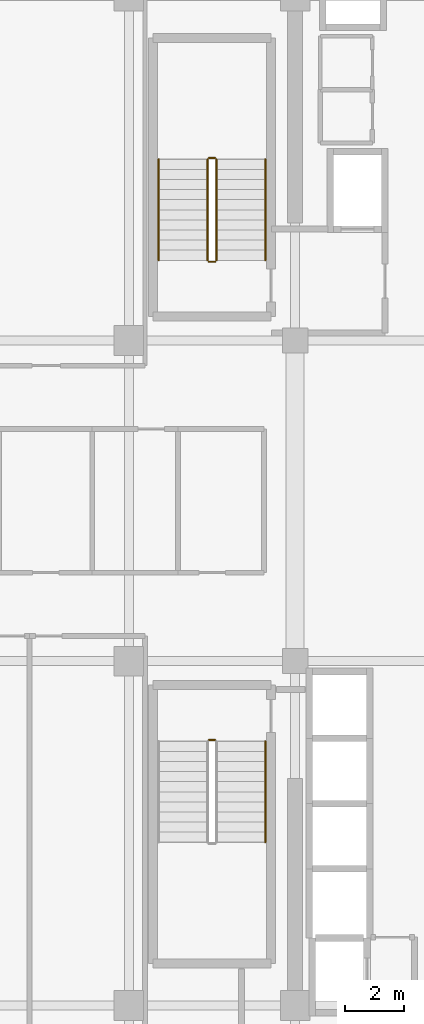
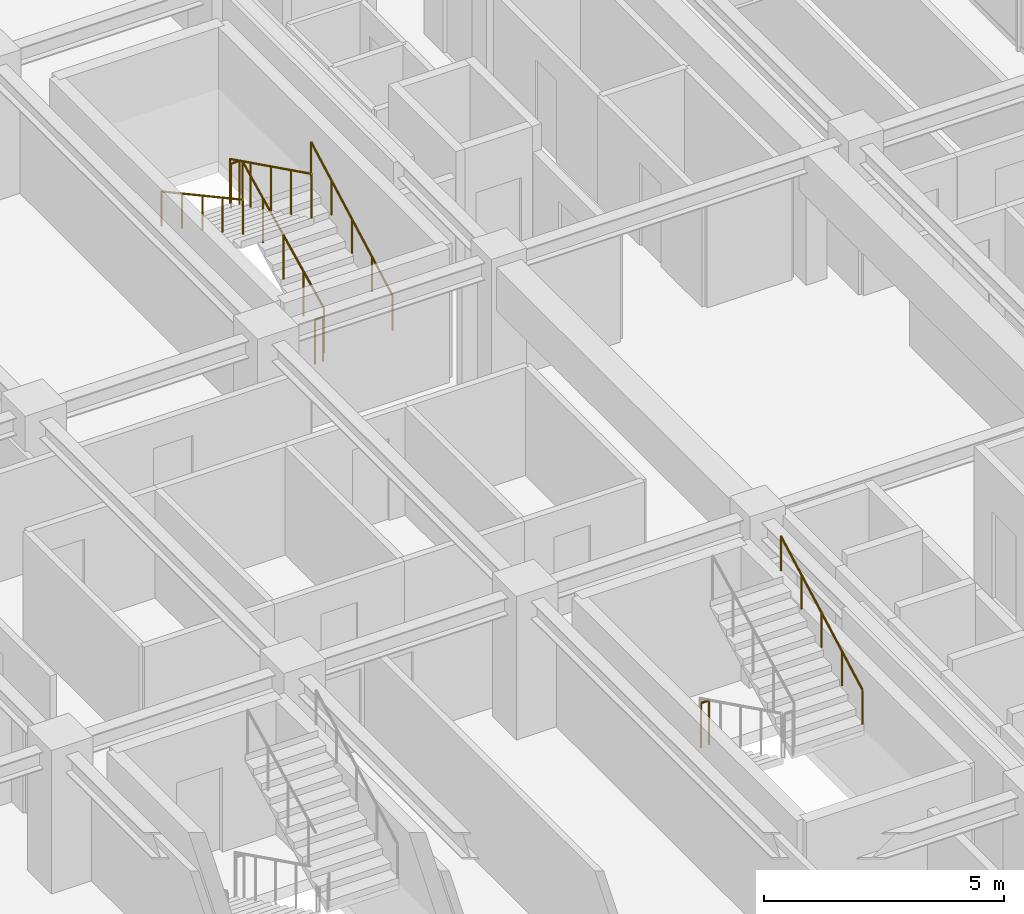
# One storey, part 31 of 32: 8 railings.
"""IFC4 building model written with IfcOpenShell, lengths in metres."""

import ifcopenshell
import ifcopenshell.guid

model = None  # the IFC model being written
_history = None  # IfcOwnerHistory: only IFC2X3 demands one
_inside = {}  # id of a spatial element -> (the spatial element, [elements in it])
_under = {}  # id of a project, library or spatial element -> (it, [spatial elements below it])
_declared = {}  # id of a project -> (the project, [libraries it declares])
_typed = {}  # id of a type object -> (the type object, [elements of that type])
_made_of = {}  # id of a material, layer set ... -> (it, [elements and type objects made of it])


def new_model(schema):
    """Start an empty IFC model of exactly this schema.

    Asked for "IFC4X3", IfcOpenShell would pick the latest addendum, in which some entities
    have other attributes; the version numbers below select the first issue.
    IFC2X3 requires an IfcOwnerHistory on every rooted entity: one is made here for all.
    """
    global model, _history
    if schema == "IFC4X3":
        model = ifcopenshell.file(schema_version=(4, 3, 0, 0))
    else:
        model = ifcopenshell.file(schema=schema)
    _inside.clear()
    _under.clear()
    _declared.clear()
    _typed.clear()
    _made_of.clear()
    _history = None
    if model.schema == "IFC2X3":
        org = make("IfcOrganization", Name="unknown")
        user = make(
            "IfcPersonAndOrganization",
            ThePerson=make("IfcPerson", FamilyName="unknown"),
            TheOrganization=org,
        )
        app = make(
            "IfcApplication",
            ApplicationDeveloper=org,
            Version="unknown",
            ApplicationFullName="unknown",
            ApplicationIdentifier="unknown",
        )
        _history = make(
            "IfcOwnerHistory",
            OwningUser=user,
            OwningApplication=app,
            ChangeAction="ADDED",
            CreationDate=0,
        )
    return model


def make(cls, **values):
    """One entity of the class cls with the attributes given. An attribute that is None is left unset."""
    return model.create_entity(
        cls, **{name: value for name, value in values.items() if value is not None}
    )


def rooted(cls, **values):
    """An entity with a GlobalId (a new one), such as an element, a storey or a relation."""
    return make(cls, GlobalId=ifcopenshell.guid.new(), OwnerHistory=_history, **values)


def si_unit(unit_type, name, prefix=None):
    """IfcSIUnit, for example si_unit("LENGTHUNIT", "METRE", prefix="MILLI")."""
    return make("IfcSIUnit", UnitType=unit_type, Prefix=prefix, Name=name)


def assignment(units):
    """IfcUnitAssignment: the units of a project."""
    return None if units is None else make("IfcUnitAssignment", Units=units)


def point(xyz):
    """IfcCartesianPoint."""
    return None if xyz is None else make("IfcCartesianPoint", Coordinates=xyz)


def direction(xyz):
    """IfcDirection."""
    return None if xyz is None else make("IfcDirection", DirectionRatios=xyz)


def frame(location, z_axis=None, x_axis=None):
    """IfcAxis2Placement3D, a coordinate frame: its origin and axes. An axis left out is left unset."""
    return make(
        "IfcAxis2Placement3D",
        Location=point(location),
        Axis=direction(z_axis),
        RefDirection=direction(x_axis),
    )


def frame_2d(location, x_axis=None):
    """IfcAxis2Placement2D, a coordinate frame in the plane: its origin and x axis."""
    return make(
        "IfcAxis2Placement2D", Location=point(location), RefDirection=direction(x_axis)
    )


def origin():
    """The frame at (0, 0, 0) with its axes left unset."""
    return frame((0.0, 0.0, 0.0))


def origin_2d():
    """The frame at (0, 0) in the plane with its x axis left unset."""
    return frame_2d((0.0, 0.0))


def place(relative_to, where):
    """IfcLocalPlacement: puts the frame where relative to a parent placement (None: the world)."""
    return make(
        "IfcLocalPlacement", PlacementRelTo=relative_to, RelativePlacement=where
    )


def context(
    kind, dimensions, precision=None, world=None, true_north=None, identifier=None
):
    """IfcGeometricRepresentationContext, for example the 3D "Model" context."""
    return make(
        "IfcGeometricRepresentationContext",
        ContextIdentifier=identifier,
        ContextType=kind,
        CoordinateSpaceDimension=dimensions,
        Precision=precision,
        WorldCoordinateSystem=world,
        TrueNorth=true_north,
    )


def subcontext(parent, identifier, kind, view, scale=None):
    """IfcGeometricRepresentationSubContext, for example "Body" below "Model"."""
    return make(
        "IfcGeometricRepresentationSubContext",
        ContextIdentifier=identifier,
        ContextType=kind,
        ParentContext=parent,
        TargetScale=scale,
        TargetView=view,
    )


def project(units=None, contexts=None):
    """IfcProject with its units and contexts."""
    return rooted(
        "IfcProject",
        Name="project",
        RepresentationContexts=contexts,
        UnitsInContext=assignment(units),
    )


def spatial(cls, under=None, at=None, **own):
    """A site, building, storey or space (cls), placed at a placement, below another one or the project."""
    s = rooted(cls, ObjectPlacement=at, **own)
    if under is not None:
        _under.setdefault(under.id(), (under, []))[1].append(s)
    return s


def profile(cls, at=None, kind="AREA", **sizes):
    """A parametric profile (cls). Its sizes go by their IFC names, for example OverallWidth=200.0."""
    return make(cls, ProfileType=kind, Position=at, **sizes)


def circle(**sizes):
    """IfcCircleProfileDef."""
    return profile("IfcCircleProfileDef", **sizes)


def extrude(swept, where, along, depth):
    """IfcExtrudedAreaSolid: the profile swept, set in the frame where, extruded along a direction by depth."""
    return make(
        "IfcExtrudedAreaSolid",
        SweptArea=swept,
        Position=where,
        ExtrudedDirection=direction(along),
        Depth=depth,
    )


def shape(context_of_items, identifier, shape_type, items):
    """IfcShapeRepresentation: the items that make up one representation, for example the "Body"."""
    return make(
        "IfcShapeRepresentation",
        ContextOfItems=context_of_items,
        RepresentationIdentifier=identifier,
        RepresentationType=shape_type,
        Items=items,
    )


def material(Name=None, Category=None):
    """IfcMaterial."""
    return make("IfcMaterial", Name=Name, Category=Category)


def made_of(thing, what):
    """Note that an element or type object is made of a material, layer set ...; save() writes the relation."""
    if what is not None:
        _made_of.setdefault(what.id(), (what, []))[1].append(thing)
    return thing


def type_object(cls, material=None, **own):
    """A type object (cls), such as IfcWallType, which elements share."""
    return made_of(rooted(cls, **own), material)


def element(
    cls,
    number,
    at=None,
    inside=None,
    cuts=None,
    type_object=None,
    material=None,
    context=None,
    identifier="Body",
    shape_type=None,
    held_by="IfcProductDefinitionShape",
    body=None,
    shapes=None,
    **own,
):
    """One element of the class cls, such as IfcWall. Its Tag is "e" and its number.

    at: its placement. inside: the storey or other place that contains it. cuts: it is an
    opening in that element (IfcRelVoidsElement). A single representation is given by context,
    identifier, shape_type and body (its items); several are given by shapes. held_by: the class
    of the entity that holds the representations. save() writes the other relations.
    """
    e = rooted(cls, Tag="e%d" % number, ObjectPlacement=at, **own)
    if body is not None:
        shapes = [shape(context, identifier, shape_type, body)]
    if shapes is not None:
        e.Representation = make(held_by, Representations=shapes)
    if inside is not None:
        _inside.setdefault(inside.id(), (inside, []))[1].append(e)
    if cuts is not None:
        rooted(
            "IfcRelVoidsElement", RelatingBuildingElement=cuts, RelatedOpeningElement=e
        )
    if type_object is not None:
        _typed.setdefault(type_object.id(), (type_object, []))[1].append(e)
    return made_of(e, material)


def aggregate(whole, parts):
    """IfcRelAggregates: a whole, such as a stair, and the parts it consists of."""
    return rooted("IfcRelAggregates", RelatingObject=whole, RelatedObjects=parts)


def save(model, path):
    """Write the relations noted so far, then the file.

    IfcRelAggregates (storeys below a building ...), IfcRelContainedInSpatialStructure (elements
    in a storey), IfcRelDefinesByType, IfcRelAssociatesMaterial and IfcRelDeclares: one each for
    every whole, place, type object, material and project.
    """
    for whole, parts in _under.values():
        aggregate(whole, parts)
    for where, things in _inside.values():
        rooted(
            "IfcRelContainedInSpatialStructure",
            RelatedElements=things,
            RelatingStructure=where,
        )
    for kind, things in _typed.values():
        rooted("IfcRelDefinesByType", RelatedObjects=things, RelatingType=kind)
    for what, things in _made_of.values():
        rooted("IfcRelAssociatesMaterial", RelatedObjects=things, RelatingMaterial=what)
    for by, libraries in _declared.values():
        rooted("IfcRelDeclares", RelatingContext=by, RelatedDefinitions=libraries)
    model.write(path)


model = new_model("IFC4")

# Units and contexts
model_context = context("Model", 3, precision=1e-05, world=origin(), true_north=direction((0.0, 1.0)))
body_context = subcontext(model_context, "Body", "Model", "MODEL_VIEW")
ifc_project = project(units=[si_unit("LENGTHUNIT", "METRE"), si_unit("AREAUNIT", "SQUARE_METRE"), si_unit("VOLUMEUNIT", "CUBIC_METRE"), si_unit("PLANEANGLEUNIT", "RADIAN"), si_unit("MASSUNIT", "GRAM", prefix="KILO")], contexts=[model_context])

# Site, building, storey
site_placement = place(None, origin())
site = spatial("IfcSite", under=ifc_project, at=site_placement, CompositionType="ELEMENT")
building_placement = place(site_placement, origin())
building = spatial("IfcBuilding", under=site, at=building_placement, Name="Nahalor Promenade Grand Hotel", CompositionType="ELEMENT")
storey_placement = place(building_placement, frame((0.0, 0.0, 230.800048828125)))
storey = spatial("IfcBuildingStorey", under=building, at=storey_placement, Name="L59", CompositionType="ELEMENT", Elevation=230.800048828125)

# Railings
ifc_material = material(Name="Steel S355JR", Category="steel")
railing_type_1 = type_object("IfcRailingType", Name="Steel Stair Guardrail 1150 mm", PredefinedType="GUARDRAIL", material=ifc_material)
railing_1_placement = place(storey_placement, frame((5.75, 8.10009765625, 0.168212890625)))
element("IfcRailing", 1, at=railing_1_placement, inside=storey, type_object=railing_type_1, Name="L59 ST1 stair guard 1", PredefinedType="GUARDRAIL", context=body_context, shape_type="SweptSolid", body=[
    extrude(circle(Radius=0.024048, at=origin_2d()), frame((0.0, 0.0, 1.1259765625), z_axis=(0.0, 0.896349809652, 0.44334751464), x_axis=(-1.0, 0.0, 0.0)), (0.0, 0.0, 1.0), 3.79296875),
    extrude(circle(Radius=0.020996, at=origin_2d()), origin(), (0.0, 0.0, 1.0), 1.099853515625),
    extrude(circle(Radius=0.020996, at=origin_2d()), frame((0.0, 0.85009765625, 0.42041015625)), (0.0, 0.0, 1.0), 1.099853515625),
    extrude(circle(Radius=0.020996, at=origin_2d()), frame((0.0, 1.699951171875, 0.8408203125)), (0.0, 0.0, 1.0), 1.099853515625),
    extrude(circle(Radius=0.020996, at=origin_2d()), frame((0.0, 2.5498046875, 1.26123046875)), (0.0, 0.0, 1.0), 1.099853515625),
    extrude(circle(Radius=0.020996, at=origin_2d()), frame((0.0, 3.39990234375, 1.681640625)), (0.0, 0.0, 1.0), 1.099853515625),
])
railing_2_placement = place(storey_placement, frame((5.699951171875, 11.550048828125, 1.849853515625)))
element("IfcRailing", 2, at=railing_2_placement, inside=storey, type_object=railing_type_1, Name="L59 ST1 stair guard 2", PredefinedType="GUARDRAIL", context=body_context, shape_type="SweptSolid", body=[
    extrude(circle(Radius=0.024048, at=origin_2d()), frame((0.0, 0.0, 1.1259765625), z_axis=(-1.0, 0.0, 0.0), x_axis=(0.0, -1.0, 0.0)), (0.0, 0.0, 1.0), 0.199951171875),
    extrude(circle(Radius=0.020996, at=origin_2d()), origin(), (0.0, 0.0, 1.0), 1.099853515625),
    extrude(circle(Radius=0.020996, at=origin_2d()), frame((-0.199951171875, 0.0, 0.0)), (0.0, 0.0, 1.0), 1.099853515625),
])
railing_3_placement = place(storey_placement, frame((5.449951171875, 11.5, 2.01806640625)))
element("IfcRailing", 3, at=railing_3_placement, inside=storey, type_object=railing_type_1, Name="L59 ST1 stair guard 3", PredefinedType="GUARDRAIL", context=body_context, shape_type="SweptSolid", body=[
    extrude(circle(Radius=0.024048, at=origin_2d()), frame((0.0, 0.0, 1.1259765625), z_axis=(0.0, -0.896324230515, 0.443399226197), x_axis=(1.0, 0.0, 0.0)), (0.0, 0.0, 1.0), 3.793212890625),
    extrude(circle(Radius=0.020996, at=origin_2d()), origin(), (0.0, 0.0, 1.0), 1.099853515625),
    extrude(circle(Radius=0.020996, at=origin_2d()), frame((0.0, -0.85009765625, 0.42041015625)), (0.0, 0.0, 1.0), 1.099853515625),
    extrude(circle(Radius=0.020996, at=origin_2d()), frame((0.0, -1.699951171875, 0.8408203125)), (0.0, 0.0, 1.0), 1.099853515625),
    extrude(circle(Radius=0.020996, at=origin_2d()), frame((0.0, -2.5498046875, 1.261474609375)), (0.0, 0.0, 1.0), 1.099853515625),
    extrude(circle(Radius=0.020996, at=origin_2d()), frame((0.0, -3.39990234375, 1.681884765625)), (0.0, 0.0, 1.0), 1.099853515625),
])
railing_4_placement = place(storey_placement, frame((5.699951171875, 8.050048828125, 0.0)))
element("IfcRailing", 4, at=railing_4_placement, inside=storey, type_object=railing_type_1, Name="L59 ST1 stair guard 4", PredefinedType="GUARDRAIL", context=body_context, shape_type="SweptSolid", body=[
    extrude(circle(Radius=0.024048, at=origin_2d()), frame((0.0, 0.0, 1.1259765625), z_axis=(-1.0, 0.0, 0.0), x_axis=(0.0, -1.0, 0.0)), (0.0, 0.0, 1.0), 0.199951171875),
    extrude(circle(Radius=0.020996, at=origin_2d()), origin(), (0.0, 0.0, 1.0), 1.099853515625),
    extrude(circle(Radius=0.020996, at=origin_2d()), frame((-0.199951171875, 0.0, 0.0)), (0.0, 0.0, 1.0), 1.099853515625),
])
railing_5_placement = place(storey_placement, frame((5.5, -8.050048828125, 0.0)))
element("IfcRailing", 5, at=railing_5_placement, inside=storey, type_object=railing_type_1, Name="L59 ST2 stair guard 4", PredefinedType="GUARDRAIL", context=body_context, shape_type="SweptSolid", body=[
    extrude(circle(Radius=0.024048, at=origin_2d()), frame((0.0, 0.0, 1.1259765625), z_axis=(1.0, 0.0, 0.0), x_axis=(0.0, 1.0, 0.0)), (0.0, 0.0, 1.0), 0.199951171875),
    extrude(circle(Radius=0.020996, at=origin_2d()), origin(), (0.0, 0.0, 1.0), 1.099853515625),
    extrude(circle(Radius=0.020996, at=origin_2d()), frame((0.199951171875, 0.0, 0.0)), (0.0, 0.0, 1.0), 1.099853515625),
])
railing_type_2 = type_object("IfcRailingType", Name="Steel Stair Handrail 900 mm", PredefinedType="HANDRAIL", material=ifc_material)
railing_6_placement = place(storey_placement, frame((7.39990234375, 8.10009765625, 0.168212890625)))
element("IfcRailing", 6, at=railing_6_placement, inside=storey, type_object=railing_type_2, Name="L59 ST1 stair handrail 1", PredefinedType="HANDRAIL", context=body_context, shape_type="SweptSolid", body=[
    extrude(circle(Radius=0.024048, at=origin_2d()), frame((0.0, 0.0, 0.8759765625), z_axis=(0.0, 0.878398892953, 0.47792822145), x_axis=(-1.0, 0.0, 0.0)), (0.0, 0.0, 1.0), 3.87060546875),
    extrude(circle(Radius=0.020996, at=origin_2d()), origin(), (0.0, 0.0, 1.0), 0.849853515625),
    extrude(circle(Radius=0.020996, at=origin_2d()), frame((0.0, 0.85009765625, 0.46240234375)), (0.0, 0.0, 1.0), 0.849853515625),
    extrude(circle(Radius=0.020996, at=origin_2d()), frame((0.0, 1.699951171875, 0.9248046875)), (0.0, 0.0, 1.0), 0.849853515625),
    extrude(circle(Radius=0.020996, at=origin_2d()), frame((0.0, 2.5498046875, 1.387451171875)), (0.0, 0.0, 1.0), 0.849853515625),
    extrude(circle(Radius=0.020996, at=origin_2d()), frame((0.0, 3.39990234375, 1.849853515625)), (0.0, 0.0, 1.0), 0.849853515625),
])
railing_7_placement = place(storey_placement, frame((3.800048828125, 11.5, 2.01806640625)))
element("IfcRailing", 7, at=railing_7_placement, inside=storey, type_object=railing_type_2, Name="L59 ST1 stair handrail 2", PredefinedType="HANDRAIL", context=body_context, shape_type="SweptSolid", body=[
    extrude(circle(Radius=0.024048, at=origin_2d()), frame((0.0, 0.0, 0.8759765625), z_axis=(0.0, -0.87837241229, 0.47797688786), x_axis=(1.0, 0.0, 0.0)), (0.0, 0.0, 1.0), 3.87060546875),
    extrude(circle(Radius=0.020996, at=origin_2d()), origin(), (0.0, 0.0, 1.0), 0.849853515625),
    extrude(circle(Radius=0.020996, at=origin_2d()), frame((0.0, -0.85009765625, 0.46240234375)), (0.0, 0.0, 1.0), 0.849853515625),
    extrude(circle(Radius=0.020996, at=origin_2d()), frame((0.0, -1.699951171875, 0.925048828125)), (0.0, 0.0, 1.0), 0.849853515625),
    extrude(circle(Radius=0.020996, at=origin_2d()), frame((0.0, -2.5498046875, 1.3876953125)), (0.0, 0.0, 1.0), 0.849853515625),
    extrude(circle(Radius=0.020996, at=origin_2d()), frame((0.0, -3.39990234375, 1.85009765625)), (0.0, 0.0, 1.0), 0.849853515625),
])
railing_8_placement = place(storey_placement, frame((7.39990234375, -11.5, 2.01806640625)))
element("IfcRailing", 8, at=railing_8_placement, inside=storey, type_object=railing_type_2, Name="L59 ST2 stair handrail 2", PredefinedType="HANDRAIL", context=body_context, shape_type="SweptSolid", body=[
    extrude(circle(Radius=0.024048, at=origin_2d()), frame((0.0, 0.0, 0.8759765625), z_axis=(0.0, 0.87837241229, 0.47797688786), x_axis=(-1.0, 0.0, 0.0)), (0.0, 0.0, 1.0), 3.87060546875),
    extrude(circle(Radius=0.020996, at=origin_2d()), origin(), (0.0, 0.0, 1.0), 0.849853515625),
    extrude(circle(Radius=0.020996, at=origin_2d()), frame((0.0, 0.85009765625, 0.46240234375)), (0.0, 0.0, 1.0), 0.849853515625),
    extrude(circle(Radius=0.020996, at=origin_2d()), frame((0.0, 1.699951171875, 0.925048828125)), (0.0, 0.0, 1.0), 0.849853515625),
    extrude(circle(Radius=0.020996, at=origin_2d()), frame((0.0, 2.5498046875, 1.3876953125)), (0.0, 0.0, 1.0), 0.849853515625),
    extrude(circle(Radius=0.020996, at=origin_2d()), frame((0.0, 3.39990234375, 1.85009765625)), (0.0, 0.0, 1.0), 0.849853515625),
])

save(model, "model.ifc")
